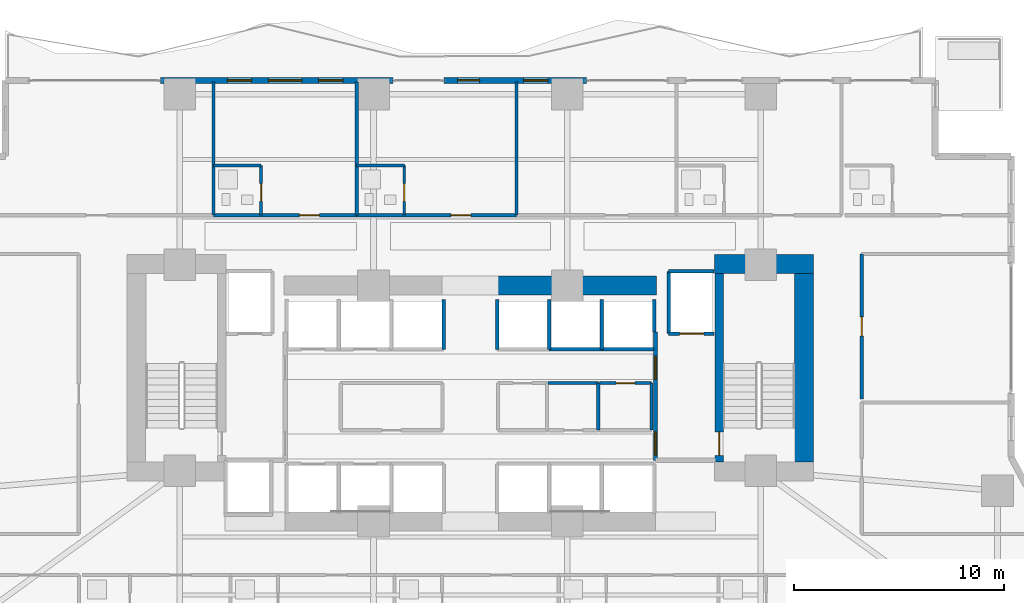
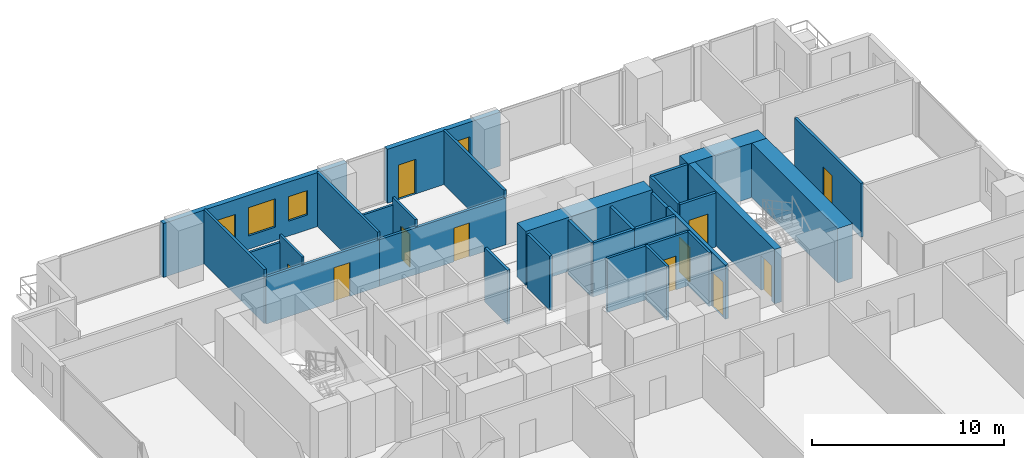
# One storey, part 22 of 28: 31 walls, 11 doors, 4 windows, 15 openings.
"""IFC4 building model written with IfcOpenShell, lengths in metres."""

from ifc_helpers import new_model, si_unit, direction, frame, frame_2d, origin, place, context, subcontext, project, spatial, rectangle, extrude, material, layer, layer_set, type_object, element, fill, save


model = new_model("IFC4")

# Units and contexts
model_context = context("Model", 3, precision=1e-05, world=origin(), true_north=direction((0.0, 1.0)))
body_context = subcontext(model_context, "Body", "Model", "MODEL_VIEW")
ifc_project = project(units=[si_unit("LENGTHUNIT", "METRE"), si_unit("AREAUNIT", "SQUARE_METRE"), si_unit("VOLUMEUNIT", "CUBIC_METRE"), si_unit("PLANEANGLEUNIT", "RADIAN"), si_unit("MASSUNIT", "GRAM", prefix="KILO")], contexts=[model_context])

# Site, building, storey
site_placement = place(None, origin())
site = spatial("IfcSite", under=ifc_project, at=site_placement, CompositionType="ELEMENT")
building_placement = place(site_placement, origin())
building = spatial("IfcBuilding", under=site, at=building_placement, Name="Zuhayl Quay Hotel", CompositionType="ELEMENT")
storey_placement = place(building_placement, frame((0.0, 0.0, 53.14990234375)))
storey = spatial("IfcBuildingStorey", under=building, at=storey_placement, Name="L12", CompositionType="ELEMENT", Elevation=53.14990234375)

# Walls
ifc_material_1 = material(Name="Concrete C70/85", Category="concrete")
ifc_layer_1 = layer(ifc_material_1, 0.89990234375, Name="Concrete C70/85", Category="concrete")
ifc_layer_set_1 = layer_set([ifc_layer_1], Name="Concrete C70/85")
wall_type_1 = type_object("IfcWallType", Name="WL_CORE_900", PredefinedType="SHEAR", material=ifc_layer_set_1)
wall_1_placement = place(storey_placement, frame((11.60009765625, 14.3798828125, 0.0), z_axis=(0.0, 0.0, 1.0), x_axis=(1.0, 0.0, 0.0)))
element("IfcWall", 1, at=wall_1_placement, inside=storey, type_object=wall_type_1, Name="L12 Core Shear Wall CW_NE", PredefinedType="SHEAR", context=body_context, shape_type="SweptSolid", body=[
    extrude(rectangle(XDim=4.7099609375, YDim=0.89990234375, at=frame_2d((2.35498046875, 0.0))), origin(), (0.0, 0.0, 1.0), 3.460205078125),
])
wall_2_placement = place(storey_placement, frame((15.860107421875, 4.969970703125, 0.0), z_axis=(0.0, 0.0, 1.0), x_axis=(0.0, 1.0, 0.0)))
element("IfcWall", 2, at=wall_2_placement, inside=storey, type_object=wall_type_1, Name="L12 Core Shear Wall CW_E", PredefinedType="SHEAR", context=body_context, shape_type="SweptSolid", body=[
    extrude(rectangle(XDim=8.9599609375, YDim=0.89990234375, at=frame_2d((4.47998046875, 0.0))), origin(), (0.0, 0.0, 1.0), 3.460205078125),
])
wall_3_placement = place(storey_placement, frame((1.25, 13.35009765625, 0.0), z_axis=(0.0, 0.0, 1.0), x_axis=(1.0, 0.0, 0.0)))
element("IfcWall", 3, at=wall_3_placement, inside=storey, type_object=wall_type_1, Name="L12 Core Shear Wall CW_NC_E", PredefinedType="SHEAR", context=body_context, shape_type="SweptSolid", body=[
    extrude(rectangle(XDim=7.60009765625, YDim=0.89990234375, at=frame_2d((3.800048828125, 0.0))), origin(), (0.0, 0.0, 1.0), 3.43017578125),
])

# Wall, openings, windows
ifc_material_2 = material(Name="Precast concrete C45/55", Category="concrete")
ifc_layer_2 = layer(ifc_material_2, 0.300048828125, Name="Precast concrete C45/55", Category="concrete")
ifc_layer_set_2 = layer_set([ifc_layer_2], Name="Precast concrete C45/55")
wall_type_2 = type_object("IfcWallType", Name="WL_EXT_300", PredefinedType="STANDARD", material=ifc_layer_set_2)
wall_4_placement = place(storey_placement, frame((-14.719970703125, 23.10009765625, 0.0), z_axis=(0.0, 0.0, 1.0), x_axis=(1.0, 0.0, 0.0)))
wall_4 = element("IfcWall", 4, at=wall_4_placement, inside=storey, type_object=wall_type_2, Name="L12 Exterior Precast Wall ENV_L12_N_EW2", PredefinedType="STANDARD", context=body_context, shape_type="SweptSolid", body=[
    extrude(rectangle(XDim=11.0400390625, YDim=0.300048828125, at=frame_2d((5.52001953125, 0.0))), origin(), (0.0, 0.0, 1.0), 3.43017578125),
])
opening_1_placement = place(wall_4_placement, frame((5.1201171875, 0.0, 0.85009765625)))
opening_1 = element("IfcOpeningElement", 5, at=opening_1_placement, cuts=wall_4, Name="Opening W01", PredefinedType="OPENING", context=body_context, shape_type="SweptSolid", body=[
    extrude(rectangle(XDim=1.60009765625, YDim=1.800048828125, at=frame_2d((0.800048828125, 0.89990234375))), frame((0.0, 0.159912109375, 0.0), z_axis=(0.0, -1.0, 0.0), x_axis=(1.0, 0.0, 0.0)), (0.0, 0.0, 1.0), 0.320068359375),
])
opening_2_placement = place(wall_4_placement, frame((3.179931640625, 0.0, 0.949951171875)))
opening_2 = element("IfcOpeningElement", 6, at=opening_2_placement, cuts=wall_4, Name="Opening W01N", PredefinedType="OPENING", context=body_context, shape_type="SweptSolid", body=[
    extrude(rectangle(XDim=1.14990234375, YDim=1.550048828125, at=frame_2d((0.574951171875, 0.77490234375))), frame((0.0, 0.159912109375, 0.0), z_axis=(0.0, -1.0, 0.0), x_axis=(1.0, 0.0, 0.0)), (0.0, 0.0, 1.0), 0.320068359375),
])
opening_3_placement = place(wall_4_placement, frame((7.510009765625, 0.0, 0.949951171875)))
opening_3 = element("IfcOpeningElement", 7, at=opening_3_placement, cuts=wall_4, Name="Opening W01N", PredefinedType="OPENING", context=body_context, shape_type="SweptSolid", body=[
    extrude(rectangle(XDim=1.14990234375, YDim=1.550048828125, at=frame_2d((0.574951171875, 0.77490234375))), frame((0.0, 0.159912109375, 0.0), z_axis=(0.0, -1.0, 0.0), x_axis=(1.0, 0.0, 0.0)), (0.0, 0.0, 1.0), 0.320068359375),
])
ifc_material_3 = material(Name="Dark Ceramic-Fritted Solar Glass", Category="glass")
window_type_1 = type_object("IfcWindowType", Name="WN_NOTCH_1350", PartitioningType="SINGLE_PANEL", PredefinedType="WINDOW", material=ifc_material_3)
window_1_placement = place(opening_2_placement, origin())
window_1 = element("IfcWindow", 8, at=window_1_placement, inside=storey, type_object=window_type_1, Name="L12 Operable Facade Window 2-1", OverallHeight=1.550048828125, OverallWidth=1.14990234375, PartitioningType="SINGLE_PANEL", PredefinedType="WINDOW", context=body_context, shape_type="SweptSolid", body=[
    extrude(rectangle(XDim=1.14990234375, YDim=1.550048828125, at=frame_2d((0.574951171875, 0.77490234375))), frame((0.0, 0.030029296875, 0.0), z_axis=(0.0, -1.0, 0.0), x_axis=(1.0, 0.0, 0.0)), (0.0, 0.0, 1.0), 0.06005859375),
])
fill(opening_2, window_1)
window_2_placement = place(opening_3_placement, origin())
window_2 = element("IfcWindow", 9, at=window_2_placement, inside=storey, type_object=window_type_1, Name="L12 Operable Facade Window 2-2", OverallHeight=1.550048828125, OverallWidth=1.14990234375, PartitioningType="SINGLE_PANEL", PredefinedType="WINDOW", context=body_context, shape_type="SweptSolid", body=[
    extrude(rectangle(XDim=1.14990234375, YDim=1.550048828125, at=frame_2d((0.574951171875, 0.77490234375))), frame((0.0, 0.030029296875, 0.0), z_axis=(0.0, -1.0, 0.0), x_axis=(1.0, 0.0, 0.0)), (0.0, 0.0, 1.0), 0.06005859375),
])
fill(opening_3, window_2)
window_type_2 = type_object("IfcWindowType", Name="WN_OPERABLE_1600", PartitioningType="DOUBLE_PANEL_VERTICAL", PredefinedType="WINDOW", material=ifc_material_3)
window_3_placement = place(opening_1_placement, origin())
window_3 = element("IfcWindow", 10, at=window_3_placement, inside=storey, type_object=window_type_2, Name="L12 North Operable Casement Window", OverallHeight=1.800048828125, OverallWidth=1.60009765625, PartitioningType="SINGLE_PANEL", PredefinedType="WINDOW", context=body_context, shape_type="SweptSolid", body=[
    extrude(rectangle(XDim=1.60009765625, YDim=1.800048828125, at=frame_2d((0.800048828125, 0.89990234375))), frame((0.0, 0.030029296875, 0.0), z_axis=(0.0, -1.0, 0.0), x_axis=(1.0, 0.0, 0.0)), (0.0, 0.0, 1.0), 0.06005859375),
])
fill(opening_1, window_3)

# Wall, openings, door, window
wall_5_placement = place(storey_placement, frame((-1.2548828125, 23.10009765625, 0.0), z_axis=(0.0, 0.0, 1.0), x_axis=(1.0, 0.0, 0.0)))
wall_5 = element("IfcWall", 11, at=wall_5_placement, inside=storey, type_object=wall_type_2, Name="L12 Exterior Precast Wall ENV_L12_N_EW3", PredefinedType="STANDARD", context=body_context, shape_type="SweptSolid", body=[
    extrude(rectangle(XDim=6.77490234375, YDim=0.300048828125, at=frame_2d((3.387451171875, 0.0))), origin(), (0.0, 0.0, 1.0), 3.43017578125),
])
opening_4_placement = place(wall_5_placement, frame((0.64990234375, 0.0, 0.0)))
opening_4 = element("IfcOpeningElement", 12, at=opening_4_placement, cuts=wall_5, Name="Opening DG1", PredefinedType="OPENING", context=body_context, shape_type="SweptSolid", body=[
    extrude(rectangle(XDim=1.050048828125, YDim=2.199951171875, at=frame_2d((0.52490234375, 1.10009765625))), frame((0.0, 0.159912109375, 0.0), z_axis=(0.0, -1.0, 0.0), x_axis=(1.0, 0.0, 0.0)), (0.0, 0.0, 1.0), 0.320068359375),
])
opening_5_placement = place(wall_5_placement, frame((3.7900390625, 0.0, 0.949951171875)))
opening_5 = element("IfcOpeningElement", 13, at=opening_5_placement, cuts=wall_5, Name="Opening W01N", PredefinedType="OPENING", context=body_context, shape_type="SweptSolid", body=[
    extrude(rectangle(XDim=1.14990234375, YDim=1.550048828125, at=frame_2d((0.574951171875, 0.77490234375))), frame((0.0, 0.159912109375, 0.0), z_axis=(0.0, -1.0, 0.0), x_axis=(1.0, 0.0, 0.0)), (0.0, 0.0, 1.0), 0.320068359375),
])
ifc_material_4 = material(Name="Anodised Aluminium and Dark Solar Glass", Category="aluminium")
door_type_1 = type_object("IfcDoorType", Name="DR_EXT_TERR_1050", OperationType="NOTDEFINED", PredefinedType="DOOR", material=ifc_material_4)
door_1_placement = place(opening_4_placement, origin())
door_1 = element("IfcDoor", 14, at=door_1_placement, inside=storey, type_object=door_type_1, Name="L12 North Rippling Balcony Door", OperationType="SINGLE_SWING_LEFT", OverallHeight=2.199951171875, OverallWidth=1.050048828125, PredefinedType="DOOR", context=body_context, shape_type="SweptSolid", body=[
    extrude(rectangle(XDim=1.050048828125, YDim=2.199951171875, at=frame_2d((0.52490234375, 1.10009765625))), frame((0.0, 0.02490234375, 0.0), z_axis=(0.0, -1.0, 0.0), x_axis=(1.0, 0.0, 0.0)), (0.0, 0.0, 1.0), 0.050048828125),
])
fill(opening_4, door_1)
window_4_placement = place(opening_5_placement, origin())
window_4 = element("IfcWindow", 15, at=window_4_placement, inside=storey, type_object=window_type_1, Name="L12 Operable Facade Window 3-1", OverallHeight=1.550048828125, OverallWidth=1.14990234375, PartitioningType="SINGLE_PANEL", PredefinedType="WINDOW", context=body_context, shape_type="SweptSolid", body=[
    extrude(rectangle(XDim=1.14990234375, YDim=1.550048828125, at=frame_2d((0.574951171875, 0.77490234375))), frame((0.0, 0.030029296875, 0.0), z_axis=(0.0, -1.0, 0.0), x_axis=(1.0, 0.0, 0.0)), (0.0, 0.0, 1.0), 0.06005859375),
])
fill(opening_5, window_4)

# Wall, opening, door
ifc_material_5 = material(Name="Acoustic Gypsum Partition STC-58")
ifc_layer_3 = layer(ifc_material_5, 0.14990234375, Name="Acoustic Gypsum Partition STC-58")
ifc_layer_set_3 = layer_set([ifc_layer_3], Name="Acoustic Gypsum Partition STC-58")
wall_type_3 = type_object("IfcWallType", Name="WL_PART_150", PredefinedType="PARTITIONING", material=ifc_layer_set_3)
wall_6_placement = place(storey_placement, frame((6.139892578125, 8.719970703125, 0.0), z_axis=(0.0, 0.0, 1.0), x_axis=(1.0, 0.0, 0.0)))
wall_6 = element("IfcWall", 16, at=wall_6_placement, inside=storey, type_object=wall_type_3, Name="L12 Partition IW_L12_CORE_E3_N", PredefinedType="PARTITIONING", context=body_context, shape_type="SweptSolid", body=[
    extrude(rectangle(XDim=2.47021484375, YDim=0.14990234375, at=frame_2d((1.235107421875, 0.0))), origin(), (0.0, 0.0, 1.0), 3.43017578125),
])
opening_6_placement = place(wall_6_placement, frame((0.784912109375, 0.0, 0.0)))
opening_6 = element("IfcOpeningElement", 17, at=opening_6_placement, cuts=wall_6, Name="Opening D06", PredefinedType="OPENING", context=body_context, shape_type="SweptSolid", body=[
    extrude(rectangle(XDim=0.89990234375, YDim=2.14990234375, at=frame_2d((0.449951171875, 1.074951171875))), frame((0.0, 0.0849609375, 0.0), z_axis=(0.0, -1.0, 0.0), x_axis=(1.0, 0.0, 0.0)), (0.0, 0.0, 1.0), 0.169921875),
])
ifc_material_6 = material(Name="Steel ASTM A992 Grade 50", Category="steel")
door_type_2 = type_object("IfcDoorType", Name="DR_INT_900", OperationType="NOTDEFINED", PredefinedType="DOOR", material=ifc_material_6)
door_2_placement = place(opening_6_placement, origin())
door_2 = element("IfcDoor", 18, at=door_2_placement, inside=storey, type_object=door_type_2, Name="L12 Janitor and Cleaners Store Door", OperationType="SINGLE_SWING_RIGHT", OverallHeight=2.14990234375, OverallWidth=0.89990234375, PredefinedType="DOOR", context=body_context, shape_type="SweptSolid", body=[
    extrude(rectangle(XDim=0.89990234375, YDim=2.14990234375, at=frame_2d((0.449951171875, 1.074951171875))), frame((0.0, 0.02490234375, 0.0), z_axis=(0.0, -1.0, 0.0), x_axis=(1.0, 0.0, 0.0)), (0.0, 0.0, 1.0), 0.050048828125),
])
fill(opening_6, door_2)

# Walls
wall_7_placement = place(storey_placement, frame((3.699951171875, 8.719970703125, 0.0), z_axis=(0.0, 0.0, 1.0), x_axis=(1.0, 0.0, 0.0)))
element("IfcWall", 19, at=wall_7_placement, inside=storey, type_object=wall_type_3, Name="L12 Partition IW_L12_CORE_E2_N", PredefinedType="PARTITIONING", context=body_context, shape_type="SweptSolid", body=[
    extrude(rectangle(XDim=2.380126953125, YDim=0.14990234375, at=frame_2d((1.18994140625, 0.0))), origin(), (0.0, 0.0, 1.0), 3.43017578125),
])
for number, where, z_axis, x_axis, name in (
    (20, (6.080078125, 6.47998046875, 0.0), (0.0, 0.0, 1.0), (0.0, 1.0, 0.0), "L12 Partition IW_L12_CORE_E2_E"),
    (21, (8.610107421875, 6.47998046875, 0.0), (0.0, 0.0, 1.0), (0.0, 1.0, 0.0), "L12 Partition IW_L12_CORE_E3_E"),
):
    element("IfcWall", number, at=place(storey_placement, frame(where, z_axis=z_axis, x_axis=x_axis)), inside=storey, type_object=wall_type_3, Name=name, PredefinedType="PARTITIONING", context=body_context, shape_type="SweptSolid", body=[
        extrude(rectangle(XDim=2.239990234375, YDim=0.14990234375, at=frame_2d((1.1201171875, 0.0))), origin(), (0.0, 0.0, 1.0), 3.43017578125),
    ])
for number, where, z_axis, x_axis, name in (
    (22, (-12.199951171875, 16.699951171875, 0.0), (0.0, 0.0, 1.0), (0.0, 1.0, 0.0), "L12 Partition IW_L12_NU01_E"),
    (23, (-5.39990234375, 16.699951171875, 0.0), (0.0, 0.0, 1.0), (0.0, 1.0, 0.0), "L12 Partition IW_L12_NU02_E"),
    (24, (2.199951171875, 16.699951171875, 0.0), (0.0, 0.0, 1.0), (0.0, 1.0, 0.0), "L12 Partition IW_L12_NU03_E"),
):
    element("IfcWall", number, at=place(storey_placement, frame(where, z_axis=z_axis, x_axis=x_axis)), inside=storey, type_object=wall_type_3, Name=name, PredefinedType="PARTITIONING", context=body_context, shape_type="SweptSolid", body=[
        extrude(rectangle(XDim=6.320068359375, YDim=0.14990234375, at=frame_2d((3.16015625, 0.0))), origin(), (0.0, 0.0, 1.0), 3.43017578125),
    ])

# Wall, opening, door
ifc_layer_4 = layer(ifc_material_5, 0.159912109375, Name="Acoustic Gypsum Partition STC-58")
ifc_layer_set_4 = layer_set([ifc_layer_4], Name="Acoustic Gypsum Partition STC-58")
wall_type_4 = type_object("IfcWallType", Name="WL_PART_CORR_160", PredefinedType="PARTITIONING", material=ifc_layer_set_4)
wall_8_placement = place(storey_placement, frame((-12.199951171875, 16.699951171875, 0.0), z_axis=(0.0, 0.0, 1.0), x_axis=(1.0, 0.0, 0.0)))
wall_8 = element("IfcWall", 25, at=wall_8_placement, inside=storey, type_object=wall_type_4, Name="L12 Partition IW_L12_NU02_COR", PredefinedType="PARTITIONING", context=body_context, shape_type="SweptSolid", body=[
    extrude(rectangle(XDim=6.800048828125, YDim=0.159912109375, at=frame_2d((3.39990234375, 0.0))), origin(), (0.0, 0.0, 1.0), 2.97314453125),
])
opening_7_placement = place(wall_8_placement, frame((4.074951171875, 0.0, 0.0)))
opening_7 = element("IfcOpeningElement", 26, at=opening_7_placement, cuts=wall_8, Name="Opening D03", PredefinedType="OPENING", context=body_context, shape_type="SweptSolid", body=[
    extrude(rectangle(XDim=0.949951171875, YDim=2.14990234375, at=frame_2d((0.47509765625, 1.074951171875))), frame((0.0, 0.08984375, 0.0), z_axis=(0.0, -1.0, 0.0), x_axis=(1.0, 0.0, 0.0)), (0.0, 0.0, 1.0), 0.179931640625),
])
ifc_material_7 = material(Name="Solid Walnut Acoustic Fire Door")
door_type_3 = type_object("IfcDoorType", Name="DR_SUITE_950", OperationType="NOTDEFINED", PredefinedType="DOOR", material=ifc_material_7)
door_3_placement = place(opening_7_placement, origin())
door_3 = element("IfcDoor", 27, at=door_3_placement, inside=storey, type_object=door_type_3, Name="L12 Deluxe Gulf Guest Room L12-02 Entrance Door", OperationType="SINGLE_SWING_RIGHT", OverallHeight=2.14990234375, OverallWidth=0.949951171875, PredefinedType="DOOR", context=body_context, shape_type="SweptSolid", body=[
    extrude(rectangle(XDim=0.949951171875, YDim=2.14990234375, at=frame_2d((0.47509765625, 1.074951171875))), frame((0.0, 0.02490234375, 0.0), z_axis=(0.0, -1.0, 0.0), x_axis=(1.0, 0.0, 0.0)), (0.0, 0.0, 1.0), 0.050048828125),
])
fill(opening_7, door_3)

wall_9_placement = place(storey_placement, frame((-5.39990234375, 16.699951171875, 0.0), z_axis=(0.0, 0.0, 1.0), x_axis=(1.0, 0.0, 0.0)))
wall_9 = element("IfcWall", 28, at=wall_9_placement, inside=storey, type_object=wall_type_4, Name="L12 Partition IW_L12_NU03_COR", PredefinedType="PARTITIONING", context=body_context, shape_type="SweptSolid", body=[
    extrude(rectangle(XDim=7.599853515625, YDim=0.159912109375, at=frame_2d((3.7998046875, 0.0))), origin(), (0.0, 0.0, 1.0), 2.97314453125),
])
opening_8_placement = place(wall_9_placement, frame((4.47509765625, 0.0, 0.0)))
opening_8 = element("IfcOpeningElement", 29, at=opening_8_placement, cuts=wall_9, Name="Opening D03", PredefinedType="OPENING", context=body_context, shape_type="SweptSolid", body=[
    extrude(rectangle(XDim=0.949951171875, YDim=2.14990234375, at=frame_2d((0.47509765625, 1.074951171875))), frame((0.0, 0.08984375, 0.0), z_axis=(0.0, -1.0, 0.0), x_axis=(1.0, 0.0, 0.0)), (0.0, 0.0, 1.0), 0.179931640625),
])
door_4_placement = place(opening_8_placement, origin())
door_4 = element("IfcDoor", 30, at=door_4_placement, inside=storey, type_object=door_type_3, Name="L12 Deluxe Gulf Guest Room L12-03 Entrance Door", OperationType="SINGLE_SWING_RIGHT", OverallHeight=2.14990234375, OverallWidth=0.949951171875, PredefinedType="DOOR", context=body_context, shape_type="SweptSolid", body=[
    extrude(rectangle(XDim=0.949951171875, YDim=2.14990234375, at=frame_2d((0.47509765625, 1.074951171875))), frame((0.0, 0.02490234375, 0.0), z_axis=(0.0, -1.0, 0.0), x_axis=(1.0, 0.0, 0.0)), (0.0, 0.0, 1.0), 0.050048828125),
])
fill(opening_8, door_4)

wall_10_placement = place(storey_placement, frame((18.60009765625, 7.9599609375, 0.0), z_axis=(0.0, 0.0, 1.0), x_axis=(0.0, 1.0, 0.0)))
wall_10 = element("IfcWall", 31, at=wall_10_placement, inside=storey, type_object=wall_type_4, Name="L12 Partition IW_L12_EFLK_2_W", PredefinedType="PARTITIONING", context=body_context, shape_type="SweptSolid", body=[
    extrude(rectangle(XDim=6.89013671875, YDim=0.159912109375, at=frame_2d((3.445068359375, 0.0))), origin(), (0.0, 0.0, 1.0), 3.43017578125),
])
opening_9_placement = place(wall_10_placement, frame((2.985107421875, 0.0, 0.0)))
opening_9 = element("IfcOpeningElement", 32, at=opening_9_placement, cuts=wall_10, Name="Opening D05", PredefinedType="OPENING", context=body_context, shape_type="SweptSolid", body=[
    extrude(rectangle(XDim=0.919921875, YDim=2.1201171875, at=frame_2d((0.4599609375, 1.06005859375))), frame((0.0, 0.08984375, 0.0), z_axis=(0.0, -1.0, 0.0), x_axis=(1.0, 0.0, 0.0)), (0.0, 0.0, 1.0), 0.179931640625),
])
door_type_4 = type_object("IfcDoorType", Name="DR_INT_950", OperationType="NOTDEFINED", PredefinedType="DOOR", material=ifc_material_7)
door_5_placement = place(opening_9_placement, origin())
door_5 = element("IfcDoor", 33, at=door_5_placement, inside=storey, type_object=door_type_4, Name="L12 Floor Beverage and Ice Pantry Door", OperationType="SINGLE_SWING_LEFT", OverallHeight=2.1201171875, OverallWidth=0.919921875, PredefinedType="DOOR", context=body_context, shape_type="SweptSolid", body=[
    extrude(rectangle(XDim=0.919921875, YDim=2.1201171875, at=frame_2d((0.4599609375, 1.06005859375))), frame((0.0, 0.02490234375, 0.0), z_axis=(0.0, -1.0, 0.0), x_axis=(1.0, 0.0, 0.0)), (0.0, 0.0, 1.0), 0.050048828125),
])
fill(opening_9, door_5)

ifc_material_8 = material(Name="Moisture-Resistant Sanitarychase Gypsum")
ifc_layer_5 = layer(ifc_material_8, 0.135009765625, Name="Moisture-Resistant Sanitarychase Gypsum")
ifc_layer_set_5 = layer_set([ifc_layer_5], Name="Moisture-Resistant Sanitarychase Gypsum")
wall_type_5 = type_object("IfcWallType", Name="WL_PART_PLUMB_150", PredefinedType="PLUMBINGWALL", material=ifc_layer_set_5)
wall_11_placement = place(storey_placement, frame((-9.93994140625, 16.699951171875, 0.0), z_axis=(0.0, 0.0, 1.0), x_axis=(0.0, 1.0, 0.0)))
wall_11 = element("IfcWall", 34, at=wall_11_placement, inside=storey, type_object=wall_type_5, Name="L12 Partition IW_L12_NU02_BE", PredefinedType="PLUMBINGWALL", context=body_context, shape_type="SweptSolid", body=[
    extrude(rectangle(XDim=2.360107421875, YDim=0.135009765625, at=frame_2d((1.18017578125, 0.0))), origin(), (0.0, 0.0, 1.0), 3.43017578125),
])
opening_10_placement = place(wall_11_placement, frame((0.64990234375, 0.0, 0.0)))
opening_10 = element("IfcOpeningElement", 35, at=opening_10_placement, cuts=wall_11, Name="Opening D04", PredefinedType="OPENING", context=body_context, shape_type="SweptSolid", body=[
    extrude(rectangle(XDim=0.85009765625, YDim=2.10009765625, at=frame_2d((0.425048828125, 1.050048828125))), frame((0.0, 0.077392578125, 0.0), z_axis=(0.0, -1.0, 0.0), x_axis=(1.0, 0.0, 0.0)), (0.0, 0.0, 1.0), 0.155029296875),
])
ifc_material_9 = material(Name="Moisture-Resistant Walnut Veneer")
door_type_5 = type_object("IfcDoorType", Name="DR_BATH_850", OperationType="NOTDEFINED", PredefinedType="DOOR", material=ifc_material_9)
door_6_placement = place(opening_10_placement, origin())
door_6 = element("IfcDoor", 36, at=door_6_placement, inside=storey, type_object=door_type_5, Name="L12 Deluxe Gulf Guest Room L12-02 En-Suite Door", OperationType="SINGLE_SWING_LEFT", OverallHeight=2.10009765625, OverallWidth=0.85009765625, PredefinedType="DOOR", context=body_context, shape_type="SweptSolid", body=[
    extrude(rectangle(XDim=0.85009765625, YDim=2.10009765625, at=frame_2d((0.425048828125, 1.050048828125))), frame((0.0, 0.02490234375, 0.0), z_axis=(0.0, -1.0, 0.0), x_axis=(1.0, 0.0, 0.0)), (0.0, 0.0, 1.0), 0.050048828125),
])
fill(opening_10, door_6)

wall_12_placement = place(storey_placement, frame((-3.139892578125, 16.699951171875, 0.0), z_axis=(0.0, 0.0, 1.0), x_axis=(0.0, 1.0, 0.0)))
wall_12 = element("IfcWall", 37, at=wall_12_placement, inside=storey, type_object=wall_type_5, Name="L12 Partition IW_L12_NU03_BE", PredefinedType="PLUMBINGWALL", context=body_context, shape_type="SweptSolid", body=[
    extrude(rectangle(XDim=2.360107421875, YDim=0.135009765625, at=frame_2d((1.18017578125, 0.0))), origin(), (0.0, 0.0, 1.0), 3.43017578125),
])
opening_11_placement = place(wall_12_placement, frame((0.64990234375, 0.0, 0.0)))
opening_11 = element("IfcOpeningElement", 38, at=opening_11_placement, cuts=wall_12, Name="Opening D04", PredefinedType="OPENING", context=body_context, shape_type="SweptSolid", body=[
    extrude(rectangle(XDim=0.85009765625, YDim=2.10009765625, at=frame_2d((0.425048828125, 1.050048828125))), frame((0.0, 0.077392578125, 0.0), z_axis=(0.0, -1.0, 0.0), x_axis=(1.0, 0.0, 0.0)), (0.0, 0.0, 1.0), 0.155029296875),
])
door_7_placement = place(opening_11_placement, origin())
door_7 = element("IfcDoor", 39, at=door_7_placement, inside=storey, type_object=door_type_5, Name="L12 Deluxe Gulf Guest Room L12-03 En-Suite Door", OperationType="SINGLE_SWING_LEFT", OverallHeight=2.10009765625, OverallWidth=0.85009765625, PredefinedType="DOOR", context=body_context, shape_type="SweptSolid", body=[
    extrude(rectangle(XDim=0.85009765625, YDim=2.10009765625, at=frame_2d((0.425048828125, 1.050048828125))), frame((0.0, 0.02490234375, 0.0), z_axis=(0.0, -1.0, 0.0), x_axis=(1.0, 0.0, 0.0)), (0.0, 0.0, 1.0), 0.050048828125),
])
fill(opening_11, door_7)

# Walls
for number, where, z_axis, x_axis, name in (
    (40, (-12.199951171875, 19.06005859375, 0.0), (0.0, 0.0, 1.0), (1.0, 0.0, 0.0), "L12 Partition IW_L12_NU02_BN"),
    (41, (-5.39990234375, 19.06005859375, 0.0), (0.0, 0.0, 1.0), (1.0, 0.0, 0.0), "L12 Partition IW_L12_NU03_BN"),
):
    element("IfcWall", number, at=place(storey_placement, frame(where, z_axis=z_axis, x_axis=x_axis)), inside=storey, type_object=wall_type_5, Name=name, PredefinedType="PLUMBINGWALL", context=body_context, shape_type="SweptSolid", body=[
        extrude(rectangle(XDim=2.260009765625, YDim=0.135009765625, at=frame_2d((1.1298828125, 0.0))), origin(), (0.0, 0.0, 1.0), 2.97314453125),
    ])

# Wall, opening, door
ifc_material_10 = material(Name="Gypsum Fireboard Assembly EI-90")
ifc_layer_6 = layer(ifc_material_10, 0.1650390625, Name="Gypsum Fireboard Assembly EI-90")
ifc_layer_set_6 = layer_set([ifc_layer_6], Name="Gypsum Fireboard Assembly EI-90")
wall_type_6 = type_object("IfcWallType", Name="WL_PART_SHAFT_160", PredefinedType="PARTITIONING", material=ifc_layer_set_6)
wall_13_placement = place(storey_placement, frame((9.419921875, 11.070068359375, 0.0), z_axis=(0.0, 0.0, 1.0), x_axis=(1.0, 0.0, 0.0)))
wall_13 = element("IfcWall", 42, at=wall_13_placement, inside=storey, type_object=wall_type_6, Name="L12 Partition IW_L12_SH_FL2_F", PredefinedType="PARTITIONING", context=body_context, shape_type="SweptSolid", body=[
    extrude(rectangle(XDim=2.16015625, YDim=0.1650390625, at=frame_2d((1.080078125, 0.0))), origin(), (0.0, 0.0, 1.0), 3.43017578125),
])
opening_12_placement = place(wall_13_placement, frame((0.530029296875, 0.0, 0.0)))
opening_12 = element("IfcOpeningElement", 43, at=opening_12_placement, cuts=wall_13, Name="Opening LD2", PredefinedType="OPENING", context=body_context, shape_type="SweptSolid", body=[
    extrude(rectangle(XDim=1.14990234375, YDim=2.25, at=frame_2d((0.574951171875, 1.125))), frame((0.0, 0.092529296875, 0.0), z_axis=(0.0, -1.0, 0.0), x_axis=(1.0, 0.0, 0.0)), (0.0, 0.0, 1.0), 0.18505859375),
])
ifc_material_11 = material(Name="Brushed Stainless Steel", Category="steel")
door_type_6 = type_object("IfcDoorType", Name="DR_LIFT_FF_1100", OperationType="SLIDING_TO_LEFT", PredefinedType="DOOR", material=ifc_material_11)
door_8_placement = place(opening_12_placement, origin())
door_8 = element("IfcDoor", 44, at=door_8_placement, inside=storey, type_object=door_type_6, Name="L12 Lift FL2 Sliding Landing Door", OperationType="SLIDING_TO_LEFT", OverallHeight=2.25, OverallWidth=1.14990234375, PredefinedType="DOOR", context=body_context, shape_type="SweptSolid", body=[
    extrude(rectangle(XDim=1.14990234375, YDim=2.25, at=frame_2d((0.574951171875, 1.125))), frame((0.0, 0.02490234375, 0.0), z_axis=(0.0, -1.0, 0.0), x_axis=(1.0, 0.0, 0.0)), (0.0, 0.0, 1.0), 0.050048828125),
])
fill(opening_12, door_8)

# Walls
wall_14_placement = place(storey_placement, frame((9.419921875, 11.070068359375, 0.0), z_axis=(0.0, 0.0, 1.0), x_axis=(0.0, 1.0, 0.0)))
element("IfcWall", 45, at=wall_14_placement, inside=storey, type_object=wall_type_6, Name="L12 Partition IW_L12_SH_FL2_W", PredefinedType="PARTITIONING", context=body_context, shape_type="SweptSolid", body=[
    extrude(rectangle(XDim=2.9599609375, YDim=0.1650390625, at=frame_2d((1.47998046875, 0.0))), origin(), (0.0, 0.0, 1.0), 3.43017578125),
])
wall_15_placement = place(storey_placement, frame((9.419921875, 14.030029296875, 0.0), z_axis=(0.0, 0.0, 1.0), x_axis=(1.0, 0.0, 0.0)))
element("IfcWall", 46, at=wall_15_placement, inside=storey, type_object=wall_type_6, Name="L12 Partition IW_L12_SH_FL2_B", PredefinedType="PARTITIONING", context=body_context, shape_type="SweptSolid", body=[
    extrude(rectangle(XDim=2.16015625, YDim=0.1650390625, at=frame_2d((1.080078125, 0.0))), origin(), (0.0, 0.0, 1.0), 3.43017578125),
])
for number, where, z_axis, x_axis, name in (
    (47, (-1.27001953125, 10.320068359375, 0.0), (0.0, 0.0, 1.0), (0.0, 1.0, 0.0), "L12 Partition IW_L12_SH_MP3_E"),
    (48, (1.27001953125, 10.320068359375, 0.0), (0.0, 0.0, 1.0), (0.0, 1.0, 0.0), "L12 Partition IW_L12_SH_MP4_W"),
    (49, (3.75, 10.320068359375, 0.0), (0.0, 0.0, 1.0), (0.0, 1.0, 0.0), "L12 Partition IW_L12_SH_MP4_E"),
):
    element("IfcWall", number, at=place(storey_placement, frame(where, z_axis=z_axis, x_axis=x_axis)), inside=storey, type_object=wall_type_6, Name=name, PredefinedType="PARTITIONING", context=body_context, shape_type="SweptSolid", body=[
        extrude(rectangle(XDim=2.35986328125, YDim=0.1650390625, at=frame_2d((1.179931640625, 0.0))), origin(), (0.0, 0.0, 1.0), 3.43017578125),
    ])
wall_16_placement = place(storey_placement, frame((3.75, 10.320068359375, 0.0), z_axis=(0.0, 0.0, 1.0), x_axis=(1.0, 0.0, 0.0)))
element("IfcWall", 50, at=wall_16_placement, inside=storey, type_object=wall_type_6, Name="L12 Partition IW_L12_SH_HP3_F", PredefinedType="PARTITIONING", context=body_context, shape_type="SweptSolid", body=[
    extrude(rectangle(XDim=2.5, YDim=0.1650390625, at=frame_2d((1.25, 0.0))), origin(), (0.0, 0.0, 1.0), 3.43017578125),
])
wall_17_placement = place(storey_placement, frame((6.25, 10.320068359375, 0.0), z_axis=(0.0, 0.0, 1.0), x_axis=(0.0, 1.0, 0.0)))
element("IfcWall", 51, at=wall_17_placement, inside=storey, type_object=wall_type_6, Name="L12 Partition IW_L12_SH_HP3_E", PredefinedType="PARTITIONING", context=body_context, shape_type="SweptSolid", body=[
    extrude(rectangle(XDim=2.35986328125, YDim=0.1650390625, at=frame_2d((1.179931640625, 0.0))), origin(), (0.0, 0.0, 1.0), 3.43017578125),
])
wall_18_placement = place(storey_placement, frame((6.25, 10.320068359375, 0.0), z_axis=(0.0, 0.0, 1.0), x_axis=(1.0, 0.0, 0.0)))
element("IfcWall", 52, at=wall_18_placement, inside=storey, type_object=wall_type_6, Name="L12 Partition IW_L12_SH_HP4_F", PredefinedType="PARTITIONING", context=body_context, shape_type="SweptSolid", body=[
    extrude(rectangle(XDim=2.47998046875, YDim=0.1650390625, at=frame_2d((1.239990234375, 0.0))), origin(), (0.0, 0.0, 1.0), 3.43017578125),
])
wall_19_placement = place(storey_placement, frame((8.72998046875, 11.14990234375, 0.0), z_axis=(0.0, 0.0, 1.0), x_axis=(0.0, 1.0, 0.0)))
element("IfcWall", 53, at=wall_19_placement, inside=storey, type_object=wall_type_6, Name="L12 Partition IW_L12_SH_HP4_E", PredefinedType="PARTITIONING", context=body_context, shape_type="SweptSolid", body=[
    extrude(rectangle(XDim=1.530029296875, YDim=0.1650390625, at=frame_2d((0.76513671875, 0.0))), origin(), (0.0, 0.0, 1.0), 3.43017578125),
])

# Wall, openings, doors
ifc_material_12 = material(Name="Gypsum Fireboard Assembly EI-120")
ifc_layer_7 = layer(ifc_material_12, 0.199951171875, Name="Gypsum Fireboard Assembly EI-120")
ifc_layer_set_7 = layer_set([ifc_layer_7], Name="Gypsum Fireboard Assembly EI-120")
wall_type_7 = type_object("IfcWallType", Name="WL_PART_SHAFT_200", PredefinedType="PARTITIONING", material=ifc_layer_set_7)
wall_20_placement = place(storey_placement, frame((8.800048828125, 11.14990234375, 0.0), z_axis=(0.0, 0.0, 1.0), x_axis=(0.0, -1.0, 0.0)))
wall_20 = element("IfcWall", 54, at=wall_20_placement, inside=storey, type_object=wall_type_7, Name="L12 Partition IW_L12_FSAE_E_W", PredefinedType="PARTITIONING", context=body_context, shape_type="SweptSolid", body=[
    extrude(rectangle(XDim=6.099853515625, YDim=0.199951171875, at=frame_2d((3.0498046875, 0.0))), origin(), (0.0, 0.0, 1.0), 3.43017578125),
])
opening_13_placement = place(wall_20_placement, frame((1.14990234375, 0.0, 0.0)))
opening_13 = element("IfcOpeningElement", 55, at=opening_13_placement, cuts=wall_20, Name="Opening D02", PredefinedType="OPENING", context=body_context, shape_type="SweptSolid", body=[
    extrude(rectangle(XDim=1.10009765625, YDim=2.199951171875, at=frame_2d((0.550048828125, 1.10009765625))), frame((0.0, 0.10986328125, 0.0), z_axis=(0.0, -1.0, 0.0), x_axis=(1.0, 0.0, 0.0)), (0.0, 0.0, 1.0), 0.219970703125),
])
opening_14_placement = place(wall_20_placement, frame((4.75, 0.0, 0.0)))
opening_14 = element("IfcOpeningElement", 56, at=opening_14_placement, cuts=wall_20, Name="Opening D02", PredefinedType="OPENING", context=body_context, shape_type="SweptSolid", body=[
    extrude(rectangle(XDim=1.10009765625, YDim=2.199951171875, at=frame_2d((0.550048828125, 1.10009765625))), frame((0.0, 0.10986328125, 0.0), z_axis=(0.0, -1.0, 0.0), x_axis=(1.0, 0.0, 0.0)), (0.0, 0.0, 1.0), 0.219970703125),
])
door_type_7 = type_object("IfcDoorType", Name="DR_FIRE_90_1100", OperationType="NOTDEFINED", PredefinedType="DOOR", material=ifc_material_6)
door_9_placement = place(opening_13_placement, origin())
door_9 = element("IfcDoor", 57, at=door_9_placement, inside=storey, type_object=door_type_7, Name="L12 FSAE Lobby East North Entry Door", OperationType="SINGLE_SWING_LEFT", OverallHeight=2.199951171875, OverallWidth=1.10009765625, PredefinedType="DOOR", context=body_context, shape_type="SweptSolid", body=[
    extrude(rectangle(XDim=1.10009765625, YDim=2.199951171875, at=frame_2d((0.550048828125, 1.10009765625))), frame((0.0, 0.02490234375, 0.0), z_axis=(0.0, -1.0, 0.0), x_axis=(1.0, 0.0, 0.0)), (0.0, 0.0, 1.0), 0.050048828125),
])
fill(opening_13, door_9)
door_10_placement = place(opening_14_placement, origin())
door_10 = element("IfcDoor", 58, at=door_10_placement, inside=storey, type_object=door_type_7, Name="L12 FSAE Lobby East South Entry Door", OperationType="SINGLE_SWING_RIGHT", OverallHeight=2.199951171875, OverallWidth=1.10009765625, PredefinedType="DOOR", context=body_context, shape_type="SweptSolid", body=[
    extrude(rectangle(XDim=1.10009765625, YDim=2.199951171875, at=frame_2d((0.550048828125, 1.10009765625))), frame((0.0, 0.02490234375, 0.0), z_axis=(0.0, -1.0, 0.0), x_axis=(1.0, 0.0, 0.0)), (0.0, 0.0, 1.0), 0.050048828125),
])
fill(opening_14, door_10)

# Wall, opening, door
ifc_material_13 = material(Name="Concrete C60/75", Category="concrete")
ifc_layer_8 = layer(ifc_material_13, 0.39990234375, Name="Concrete C60/75", Category="concrete")
ifc_layer_set_8 = layer_set([ifc_layer_8], Name="Concrete C60/75")
wall_type_8 = type_object("IfcWallType", Name="WL_STAIR_400", PredefinedType="SHEAR", material=ifc_layer_set_8)
wall_21_placement = place(storey_placement, frame((11.820068359375, 13.929931640625, 0.0), z_axis=(0.0, 0.0, 1.0), x_axis=(0.0, -1.0, 0.0)))
wall_21 = element("IfcWall", 59, at=wall_21_placement, inside=storey, type_object=wall_type_8, Name="L12 Core Shear Wall SW_ST2", PredefinedType="SHEAR", context=body_context, shape_type="SweptSolid", body=[
    extrude(rectangle(XDim=8.9599609375, YDim=0.39990234375, at=frame_2d((4.47998046875, 0.0))), origin(), (0.0, 0.0, 1.0), 3.460205078125),
])
opening_15_placement = place(wall_21_placement, frame((7.530029296875, 0.0, 0.0)))
opening_15 = element("IfcOpeningElement", 60, at=opening_15_placement, cuts=wall_21, Name="Opening D01", PredefinedType="OPENING", context=body_context, shape_type="SweptSolid", body=[
    extrude(rectangle(XDim=1.1201171875, YDim=2.219970703125, at=frame_2d((0.56005859375, 1.10986328125))), frame((0.0, 0.2099609375, 0.0), z_axis=(0.0, -1.0, 0.0), x_axis=(1.0, 0.0, 0.0)), (0.0, 0.0, 1.0), 0.419921875),
])
door_type_8 = type_object("IfcDoorType", Name="DR_STAIR_90_1100", OperationType="NOTDEFINED", PredefinedType="DOOR", material=ifc_material_6)
door_11_placement = place(opening_15_placement, origin())
door_11 = element("IfcDoor", 61, at=door_11_placement, inside=storey, type_object=door_type_8, Name="L12 Smokeproof Exit Stair ST2 Door", OperationType="SINGLE_SWING_RIGHT", OverallHeight=2.219970703125, OverallWidth=1.1201171875, PredefinedType="DOOR", context=body_context, shape_type="SweptSolid", body=[
    extrude(rectangle(XDim=1.1201171875, YDim=2.219970703125, at=frame_2d((0.56005859375, 1.10986328125))), frame((0.0, 0.02490234375, 0.0), z_axis=(0.0, -1.0, 0.0), x_axis=(1.0, 0.0, 0.0)), (0.0, 0.0, 1.0), 0.050048828125),
])
fill(opening_15, door_11)

save(model, "model.ifc")
